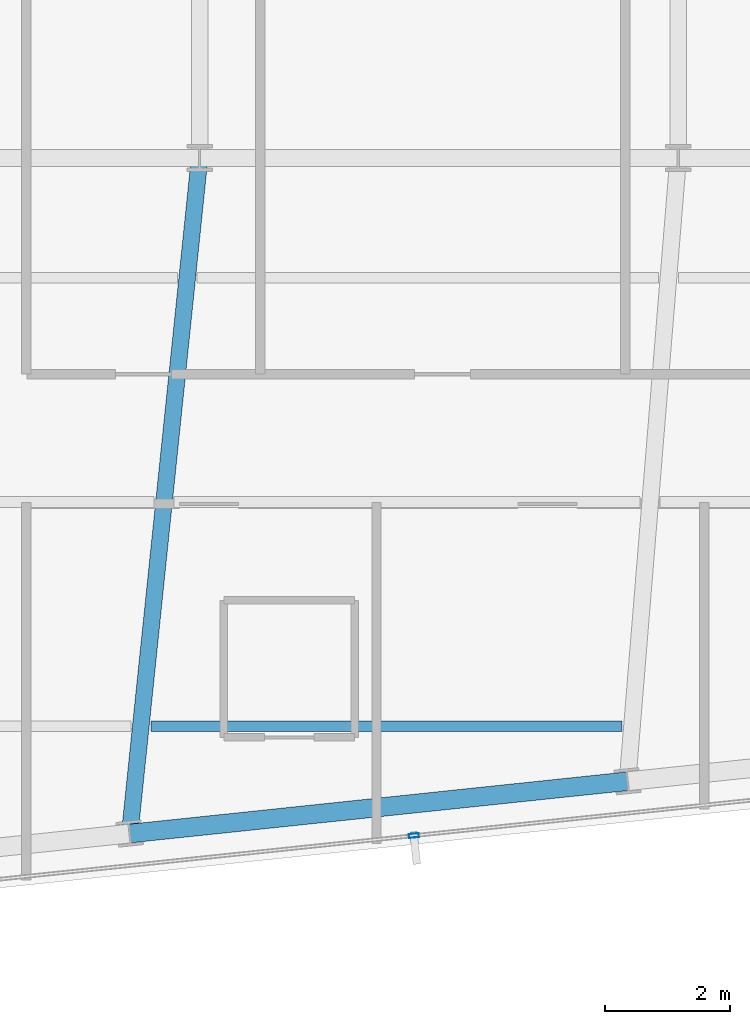
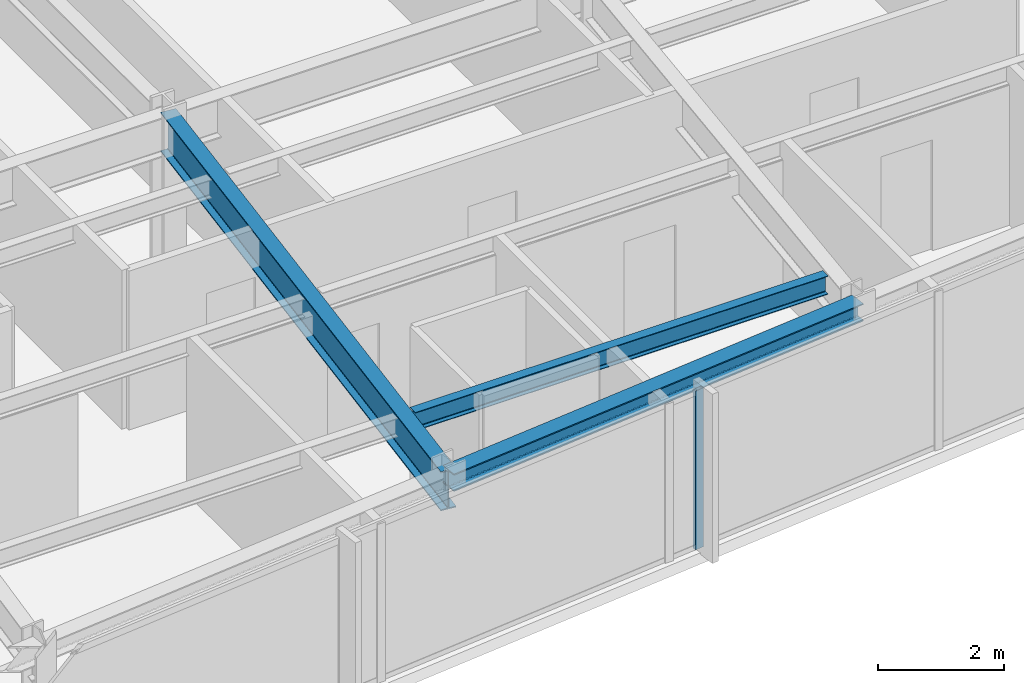
# One storey, part 8 of 32: 3 beams, 1 member, 1 element without a shape of its own.
"""IFC4 building model written with IfcOpenShell, lengths in metres."""

from ifc_helpers import new_model, si_unit, direction, frame, origin, origin_2d, place, context, subcontext, project, spatial, hollow_rectangle, i_section, extrude, material, material_profile, profile_set, type_object, element, aggregate, save


model = new_model("IFC4")

# Units and contexts
model_context = context("Model", 3, precision=1e-05, world=origin(), true_north=direction((0.0, 1.0)))
body_context = subcontext(model_context, "Body", "Model", "MODEL_VIEW")
ifc_project = project(units=[si_unit("LENGTHUNIT", "METRE"), si_unit("AREAUNIT", "SQUARE_METRE"), si_unit("VOLUMEUNIT", "CUBIC_METRE"), si_unit("PLANEANGLEUNIT", "RADIAN"), si_unit("MASSUNIT", "GRAM", prefix="KILO")], contexts=[model_context])

# Site, building, storey
site_placement = place(None, origin())
site = spatial("IfcSite", under=ifc_project, at=site_placement, CompositionType="ELEMENT")
building_placement = place(site_placement, origin())
building = spatial("IfcBuilding", under=site, at=building_placement, Name="Yelkora Congress Tower", CompositionType="ELEMENT")
storey_placement = place(building_placement, frame((0.0, 0.0, 214.39990234375)))
storey = spatial("IfcBuildingStorey", under=building, at=storey_placement, Name="L59", CompositionType="ELEMENT", Elevation=214.39990234375)

# Beams
ifc_material_1 = material(Name="Steel S355J2", Category="steel")
ifc_material_profile_1 = material_profile(ifc_material_1, i_section(OverallWidth=0.26708984375, OverallDepth=0.761962890625, WebThickness=0.014404296875, FlangeThickness=0.021484375, FilletRadius=0.01708984375, at=origin_2d()), Name="IPE 750x173")
ifc_profile_set_1 = profile_set([ifc_material_profile_1], Name="Steel S355J2")
beam_type_1 = type_object("IfcBeamType", Name="BM-GIRD-IPE750", PredefinedType="BEAM", material=ifc_profile_set_1)
beam_1_placement = place(storey_placement, frame((37.277587890625, 14.35791015625, 2.69921875), z_axis=(0.102964870035, 0.99468499312, 0.0), x_axis=(-0.99468499312, 0.102964870035, 0.0)))
element("IfcBeam", 1, at=beam_1_placement, inside=storey, type_object=beam_type_1, Name="L59 Primary Frame Girder S03", PredefinedType="BEAM", context=body_context, shape_type="SweptSolid", body=[
    extrude(i_section(OverallWidth=0.26708984375, OverallDepth=0.761962890625, WebThickness=0.014404296875, FlangeThickness=0.021484375, FilletRadius=0.01708984375, at=origin_2d()), origin(), (0.0, 0.0, 1.0), 10.89990234375),
])
ifc_material_profile_2 = material_profile(ifc_material_1, i_section(OverallWidth=0.169921875, OverallDepth=0.360107421875, WebThickness=0.008056640625, FlangeThickness=0.0126953125, FilletRadius=0.01806640625, at=origin_2d()), Name="IPE 360")
ifc_profile_set_2 = profile_set([ifc_material_profile_2], Name="Steel S355J2")
beam_type_2 = type_object("IfcBeamType", Name="BM-JOIST-IPE360", PredefinedType="JOIST", material=ifc_profile_set_2)
beam_2_placement = place(storey_placement, frame((37.61572265625, 16.07861328125, 2.900146484375), z_axis=(1.0, 0.0, 0.0), x_axis=(0.0, 1.0, 0.0)))
element("IfcBeam", 2, at=beam_2_placement, inside=storey, type_object=beam_type_2, Name="L59 Composite Floor Joist 2", PredefinedType="JOIST", context=body_context, shape_type="SweptSolid", body=[
    extrude(i_section(OverallWidth=0.169921875, OverallDepth=0.360107421875, WebThickness=0.008056640625, FlangeThickness=0.0126953125, FilletRadius=0.01806640625, at=origin_2d()), origin(), (0.0, 0.0, 1.0), 7.56298828125),
])
ifc_material_profile_3 = material_profile(ifc_material_1, i_section(OverallWidth=0.300048828125, OverallDepth=0.340087890625, WebThickness=0.011962890625, FlangeThickness=0.021484375, FilletRadius=0.027099609375, at=origin_2d()), Name="HEB 340")
ifc_profile_set_3 = profile_set([ifc_material_profile_3], Name="Steel S355J2")
beam_type_3 = type_object("IfcBeamType", Name="BM-SPAN-HEB340", PredefinedType="SPANDREL", material=ifc_profile_set_3)
beam_3_placement = place(storey_placement, frame((37.277587890625, 14.35791015625, 2.91015625), z_axis=(0.99452358891, 0.104512349038, 0.0), x_axis=(-0.104512349038, 0.99452358891, 0.0)))
element("IfcBeam", 3, at=beam_3_placement, inside=storey, type_object=beam_type_3, Name="L59 Perimeter Beam 5", PredefinedType="SPANDREL", context=body_context, shape_type="SweptSolid", body=[
    extrude(i_section(OverallWidth=0.300048828125, OverallDepth=0.340087890625, WebThickness=0.011962890625, FlangeThickness=0.021484375, FilletRadius=0.027099609375, at=origin_2d()), origin(), (0.0, 0.0, 1.0), 8.033447265625),
])

# Curtain wall, member
ifc_material_2 = material(Name="Anodised aluminium and insulated glass", Category="aluminium")
curtain_wall_type = type_object("IfcCurtainWallType", Name="CW-SYS-B4", PredefinedType="NOTDEFINED", material=ifc_material_2)
curtain_wall_placement = place(storey_placement, origin())
curtain_wall = element("IfcCurtainWall", 4, at=curtain_wall_placement, inside=storey, type_object=curtain_wall_type, Name="L59 Unitised Curtain Wall 20", PredefinedType="NOTDEFINED")
ifc_material_3 = material(Name="Anodised aluminium 6063-T6", Category="aluminium")
ifc_material_profile_4 = material_profile(ifc_material_3, hollow_rectangle(XDim=0.06494140625, YDim=0.159912109375, WallThickness=0.00390625, at=origin_2d()), Name="ALU 65x160x4")
ifc_profile_set_4 = profile_set([ifc_material_profile_4], Name="Anodised aluminium 6063-T6")
member_type = type_object("IfcMemberType", Name="MEM-ML-B4", PredefinedType="MULLION", material=ifc_profile_set_4)
member_placement = place(storey_placement, frame((41.838134765625, 14.324462890625, 0.0), z_axis=(0.0, 0.0, 1.0), x_axis=(0.104526664994, -0.994522084373, 0.0)))
member = element("IfcMember", 5, at=member_placement, type_object=member_type, Name="CW-B4 mullion 5", PredefinedType="MULLION", context=body_context, shape_type="SweptSolid", body=[
    extrude(hollow_rectangle(XDim=0.06494140625, YDim=0.159912109375, WallThickness=0.00390625, at=origin_2d()), origin(), (0.0, 0.0, 1.0), 3.080078125),
])
aggregate(curtain_wall, [member])

save(model, "model.ifc")
